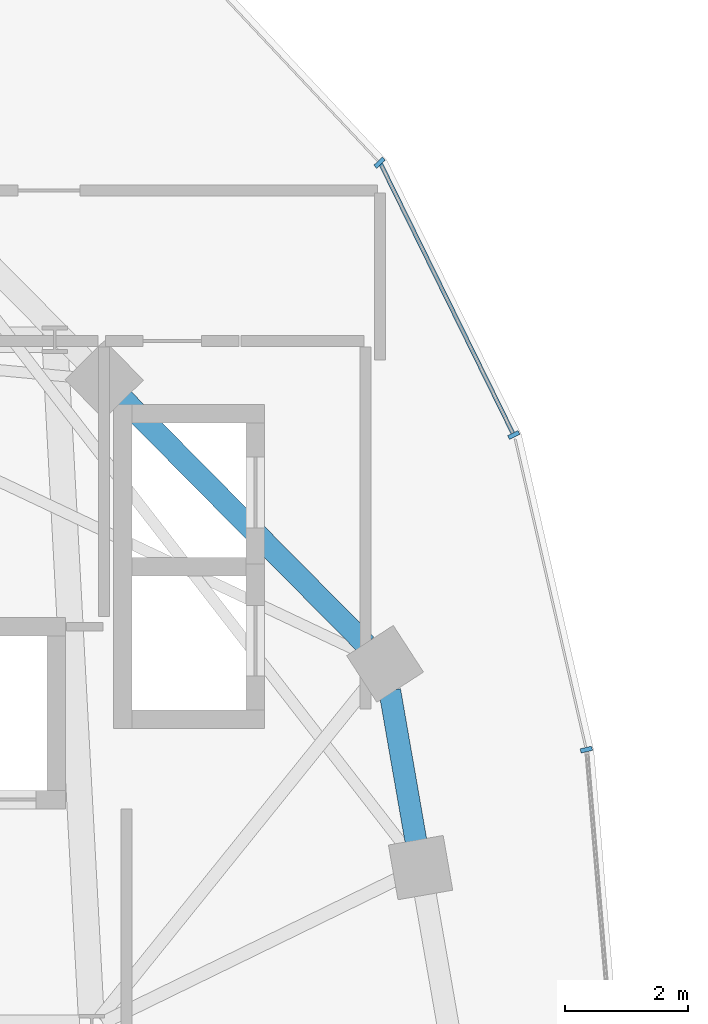
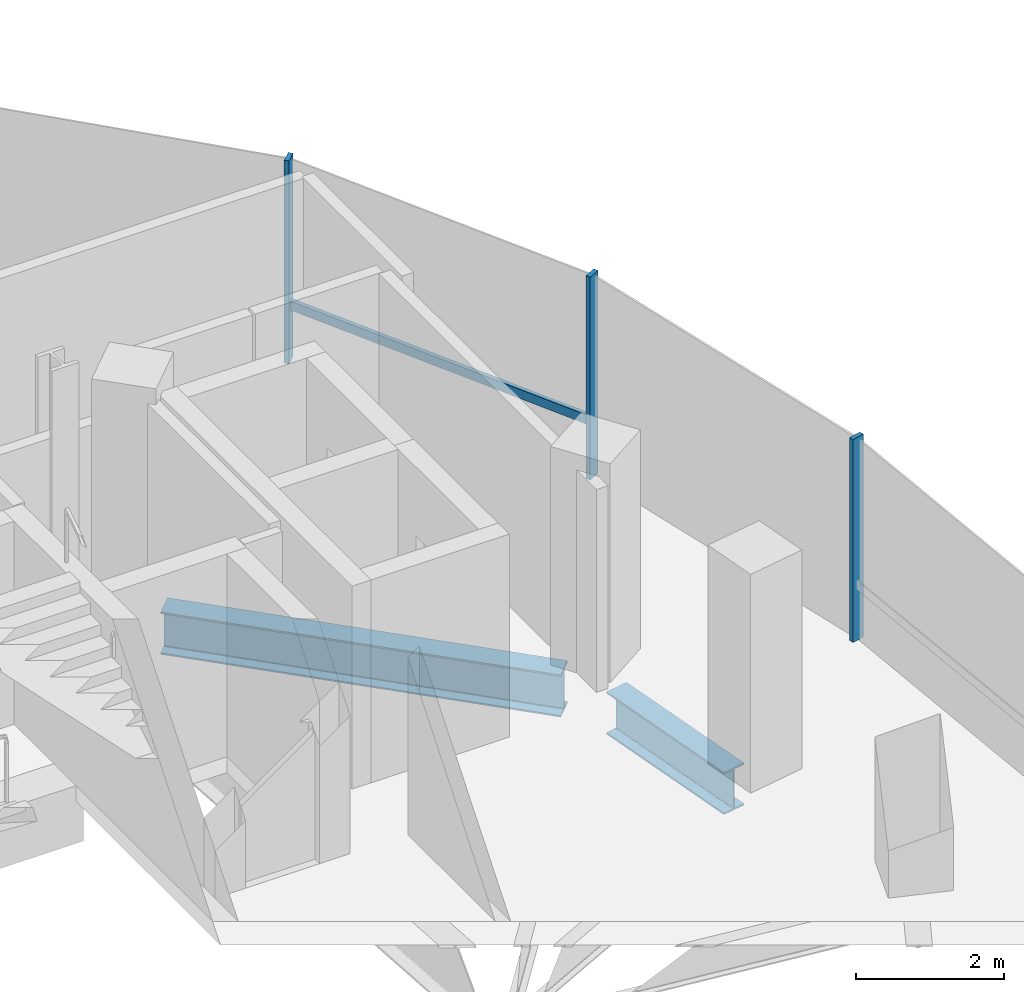
# One storey, part 7 of 25: 4 members, 2 beams, 1 element without a shape of its own.
"""IFC4 building model written with IfcOpenShell, lengths in metres."""

from ifc_helpers import new_model, si_unit, direction, frame, origin, origin_2d, place, context, subcontext, project, spatial, rectangle, i_section, extrude, material, material_profile, profile_set, type_object, element, aggregate, save


model = new_model("IFC4")

# Units and contexts
model_context = context("Model", 3, precision=1e-05, world=origin(), true_north=direction((0.0, 1.0)))
body_context = subcontext(model_context, "Body", "Model", "MODEL_VIEW")
ifc_project = project(units=[si_unit("LENGTHUNIT", "METRE"), si_unit("AREAUNIT", "SQUARE_METRE"), si_unit("VOLUMEUNIT", "CUBIC_METRE"), si_unit("PLANEANGLEUNIT", "RADIAN"), si_unit("MASSUNIT", "GRAM", prefix="KILO"), si_unit("THERMODYNAMICTEMPERATUREUNIT", "KELVIN"), si_unit("POWERUNIT", "WATT")], contexts=[model_context])

# Site, building, storey
site_placement = place(None, origin())
site = spatial("IfcSite", under=ifc_project, at=site_placement, CompositionType="ELEMENT")
building_placement = place(site_placement, origin())
building = spatial("IfcBuilding", under=site, at=building_placement, Name="Cundina Bronze Exchange", CompositionType="ELEMENT")
storey_placement = place(building_placement, frame((0.0, 0.0, 202.60009765625)))
storey = spatial("IfcBuildingStorey", under=building, at=storey_placement, Name="L53", CompositionType="ELEMENT", Elevation=202.60009765625)

# Beams
ifc_material_1 = material(Name="Steel ASTM A992 Grade 50", Category="steel")
ifc_material_profile_1 = material_profile(ifc_material_1, i_section(OverallWidth=0.35498046875, OverallDepth=0.695068359375, WebThickness=0.015380859375, FlangeThickness=0.02490234375, FilletRadius=0.01806640625, at=origin_2d()), Name="W27X146", Category="steel")
ifc_profile_set_1 = profile_set([ifc_material_profile_1], Name="Steel ASTM A992 Grade 50")
beam_type = type_object("IfcBeamType", Name="BM-RING-W27", PredefinedType="USERDEFINED", material=ifc_profile_set_1)
beam_1_placement = place(storey_placement, frame((-16.2001953125, 6.931396484375, -0.607666015625), z_axis=(-0.171628556628, 0.985161732179, 0.0), x_axis=(-0.985161732179, -0.171628556628, 0.0)))
element("IfcBeam", 1, at=beam_1_placement, inside=storey, type_object=beam_type, Name="L53 W Perimeter Ring Girder 01", ObjectType="GIRDER", PredefinedType="USERDEFINED", context=body_context, shape_type="SweptSolid", body=[
    extrude(i_section(OverallWidth=0.35498046875, OverallDepth=0.695068359375, WebThickness=0.015380859375, FlangeThickness=0.02490234375, FilletRadius=0.01806640625, at=origin_2d()), origin(), (0.0, 0.0, 1.0), 2.4736328125),
])
beam_2_placement = place(storey_placement, frame((-17.008056640625, 10.111328125, -0.607666015625), z_axis=(-0.703211928763, 0.710980297368, 0.0), x_axis=(-0.710980297368, -0.703211928763, 0.0)))
element("IfcBeam", 2, at=beam_2_placement, inside=storey, type_object=beam_type, Name="L53 W Perimeter Ring Girder 02", ObjectType="GIRDER", PredefinedType="USERDEFINED", context=body_context, shape_type="SweptSolid", body=[
    extrude(i_section(OverallWidth=0.35498046875, OverallDepth=0.695068359375, WebThickness=0.015380859375, FlangeThickness=0.02490234375, FilletRadius=0.01806640625, at=origin_2d()), origin(), (0.0, 0.0, 1.0), 5.593994140625),
])

# Curtain wall, members
ifc_material_2 = material(Name="Anodised Bronze Aluminium 6063-T6", Category="aluminium")
curtain_wall_type = type_object("IfcCurtainWallType", Name="CWS-UPP-OFF", PredefinedType="NOTDEFINED", material=ifc_material_2)
curtain_wall_placement = place(storey_placement, origin())
curtain_wall = element("IfcCurtainWall", 3, at=curtain_wall_placement, inside=storey, type_object=curtain_wall_type, Name="L53 CW-05 Curtain Wall Run CWR-L53-W1", PredefinedType="NOTDEFINED")
ifc_material_profile_2 = material_profile(ifc_material_2, rectangle(XDim=0.070068359375, YDim=0.18994140625, at=origin_2d()), Name="AL70X190", Category="aluminium")
ifc_profile_set_2 = profile_set([ifc_material_profile_2], Name="Anodised Bronze Aluminium 6063-T6")
member_type_1 = type_object("IfcMemberType", Name="CWM-MUL-190", PredefinedType="MULLION", material=ifc_profile_set_2)
member_1_placement = place(storey_placement, frame((-13.43994140625, 8.4111328125, 0.0), z_axis=(0.0, 0.0, 1.0), x_axis=(-0.223250116011, 0.974761194191, 0.0)))
member_1 = element("IfcMember", 4, at=member_1_placement, type_object=member_type_1, Name="CW-05 Mullion 2", PredefinedType="MULLION", context=body_context, shape_type="SweptSolid", body=[
    extrude(rectangle(XDim=0.070068359375, YDim=0.18994140625, at=origin_2d()), origin(), (0.0, 0.0, 1.0), 3.33984375),
])
member_2_placement = place(storey_placement, frame((-14.61572265625, 13.50732421875, 0.0), z_axis=(0.0, 0.0, 1.0), x_axis=(-0.440566004113, 0.897720221461, 0.0)))
member_2 = element("IfcMember", 5, at=member_2_placement, type_object=member_type_1, Name="CW-05 Mullion 3", PredefinedType="MULLION", context=body_context, shape_type="SweptSolid", body=[
    extrude(rectangle(XDim=0.070068359375, YDim=0.18994140625, at=origin_2d()), origin(), (0.0, 0.0, 1.0), 3.33984375),
])
member_3_placement = place(storey_placement, frame((-16.790283203125, 17.91796875, 0.0), z_axis=(0.0, 0.0, 1.0), x_axis=(-0.684292606175, 0.729207535023, 0.0)))
member_3 = element("IfcMember", 6, at=member_3_placement, type_object=member_type_1, Name="CW-05 Mullion 4", PredefinedType="MULLION", context=body_context, shape_type="SweptSolid", body=[
    extrude(rectangle(XDim=0.070068359375, YDim=0.18994140625, at=origin_2d()), origin(), (0.0, 0.0, 1.0), 3.33984375),
])
ifc_material_profile_3 = material_profile(ifc_material_2, rectangle(XDim=0.06494140625, YDim=0.14990234375, at=origin_2d()), Name="AL65X150", Category="aluminium")
ifc_profile_set_3 = profile_set([ifc_material_profile_3], Name="Anodised Bronze Aluminium 6063-T6")
member_type_2 = type_object("IfcMemberType", Name="CWM-TRN-150", PredefinedType="USERDEFINED", material=ifc_profile_set_3)
member_4_placement = place(storey_placement, frame((-14.6328125, 13.5419921875, 0.919921875), z_axis=(-0.440483110889, 0.897760897467, 0.0), x_axis=(-0.897760897467, -0.440483110889, 0.0)))
member_4 = element("IfcMember", 7, at=member_4_placement, type_object=member_type_2, Name="CW-05 Spandrel Transom 3", ObjectType="TRANSOM", PredefinedType="USERDEFINED", context=body_context, shape_type="SweptSolid", body=[
    extrude(rectangle(XDim=0.06494140625, YDim=0.14990234375, at=origin_2d()), origin(), (0.0, 0.0, 1.0), 4.855224609375),
])
aggregate(curtain_wall, [member_1, member_2, member_4, member_3])

save(model, "model.ifc")
